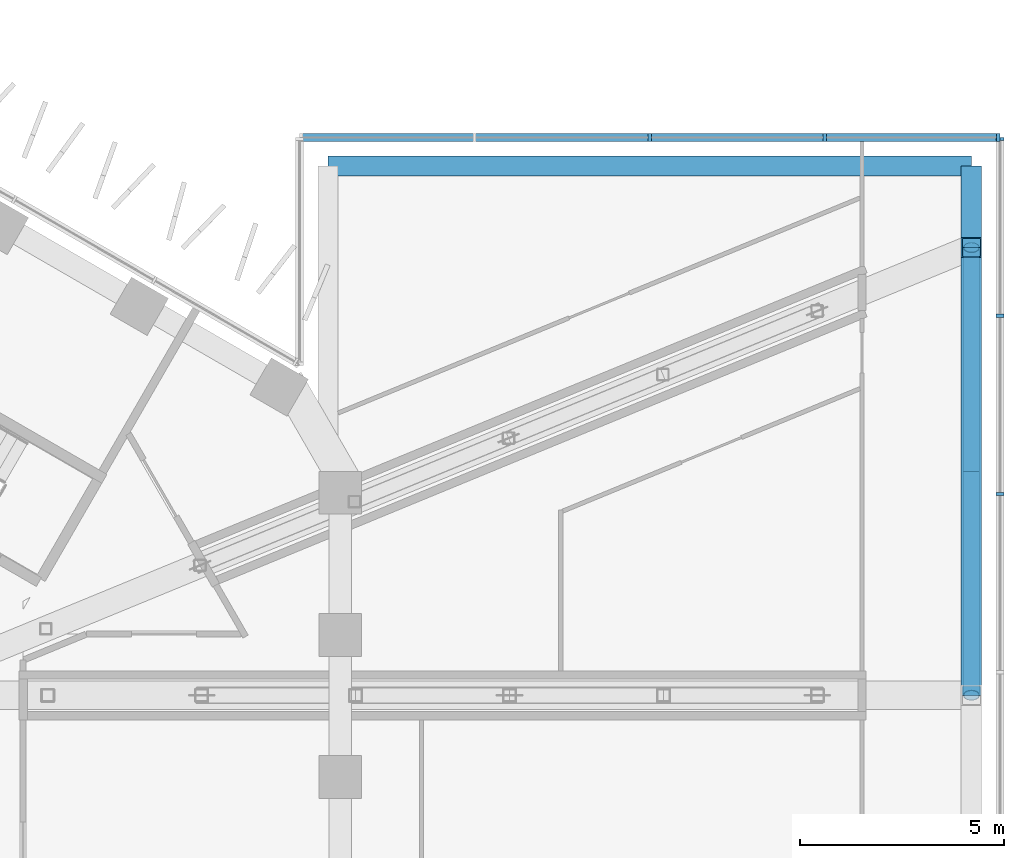
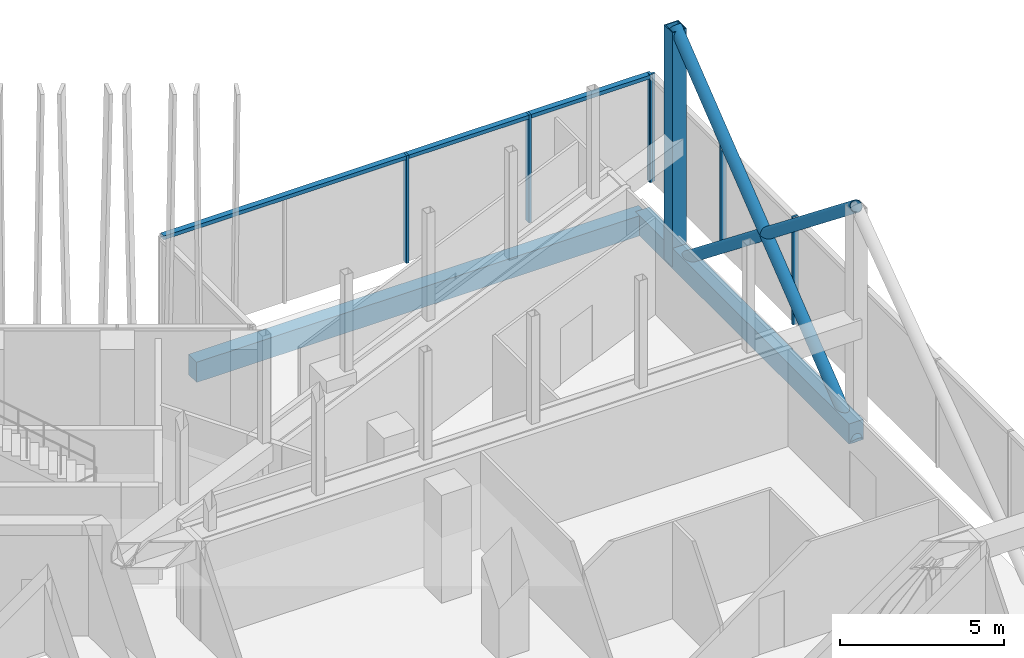
# One storey, part 10 of 28: 10 members, 3 beams, 2 elements without a shape of their own.
"""IFC4 building model written with IfcOpenShell, lengths in metres."""

from ifc_helpers import new_model, si_unit, direction, frame, origin, origin_2d, place, context, subcontext, project, spatial, rectangle, hollow_rectangle, hollow_circle, extrude, material, layer, layer_set, material_profile, profile_set, type_object, element, aggregate, save


model = new_model("IFC4")

# Units and contexts
model_context = context("Model", 3, precision=1e-05, world=origin(), true_north=direction((0.0, 1.0)))
body_context = subcontext(model_context, "Body", "Model", "MODEL_VIEW")
ifc_project = project(units=[si_unit("LENGTHUNIT", "METRE"), si_unit("AREAUNIT", "SQUARE_METRE"), si_unit("VOLUMEUNIT", "CUBIC_METRE"), si_unit("PLANEANGLEUNIT", "RADIAN"), si_unit("MASSUNIT", "GRAM", prefix="KILO")], contexts=[model_context])

# Site, building, storey
site_placement = place(None, origin())
site = spatial("IfcSite", under=ifc_project, at=site_placement, CompositionType="ELEMENT")
building_placement = place(site_placement, origin())
building = spatial("IfcBuilding", under=site, at=building_placement, Name="Ayvan Gate Tower", CompositionType="ELEMENT")
storey_placement = place(building_placement, frame((0.0, 0.0, 120.5)))
storey = spatial("IfcBuildingStorey", under=building, at=storey_placement, Name="L32", CompositionType="ELEMENT", Elevation=120.5)

# Beams
ifc_material_1 = material(Name="Concrete C40/50", Category="concrete")
ifc_material_profile_1 = material_profile(ifc_material_1, rectangle(XDim=0.5, YDim=0.75, at=origin_2d()), Name="RC 500x750")
ifc_profile_set_1 = profile_set([ifc_material_profile_1], Name="Concrete C40/50")
beam_type = type_object("IfcBeamType", Name="Sky bar edge beam RC 500x750 C40/50", PredefinedType="BEAM", material=ifc_profile_set_1)
beam_1_placement = place(storey_placement, frame((19.185546875, 16.75, -0.77490234375), z_axis=(1.0, 0.0, 0.0), x_axis=(0.0, 1.0, 0.0)))
element("IfcBeam", 1, at=beam_1_placement, inside=storey, type_object=beam_type, Name="EB-B2-L32-2", PredefinedType="BEAM", context=body_context, shape_type="SweptSolid", body=[
    extrude(rectangle(XDim=0.5, YDim=0.75, at=origin_2d()), origin(), (0.0, 0.0, 1.0), 15.800048828125),
])
beam_2_placement = place(storey_placement, frame((34.985595703125, 16.75, -0.77490234375), z_axis=(0.0, -1.0, 0.0), x_axis=(1.0, 0.0, 0.0)))
element("IfcBeam", 2, at=beam_2_placement, inside=storey, type_object=beam_type, Name="EB-B2-L32-3", PredefinedType="BEAM", context=body_context, shape_type="SweptSolid", body=[
    extrude(rectangle(XDim=0.5, YDim=0.75, at=origin_2d()), origin(), (0.0, 0.0, 1.0), 2.0),
])
beam_3_placement = place(storey_placement, frame((34.985595703125, 14.75, -0.77490234375), z_axis=(0.0, -1.0, 0.0), x_axis=(1.0, 0.0, 0.0)))
element("IfcBeam", 3, at=beam_3_placement, inside=storey, type_object=beam_type, Name="EB-B2-L32-4", PredefinedType="BEAM", context=body_context, shape_type="SweptSolid", body=[
    extrude(rectangle(XDim=0.5, YDim=0.75, at=origin_2d()), origin(), (0.0, 0.0, 1.0), 11.0),
])

# Members
ifc_material_2 = material(Name="Steel S460ML", Category="steel")
ifc_material_profile_2 = material_profile(ifc_material_2, hollow_rectangle(XDim=0.5, YDim=0.5, WallThickness=0.030029296875, at=origin_2d()), Name="BOX 500x500x30")
ifc_profile_set_2 = profile_set([ifc_material_profile_2], Name="Steel S460ML")
member_type_1 = type_object("IfcMemberType", Name="Sky bar end wall post BOX 500x500x30", PredefinedType="POST", material=ifc_profile_set_2)
member_1_placement = place(storey_placement, frame((34.985595703125, 14.75, -1.10009765625), z_axis=(0.0, 0.0, 1.0), x_axis=(1.0, 0.0, 0.0)))
element("IfcMember", 4, at=member_1_placement, inside=storey, type_object=member_type_1, Name="EXO-B2-P4", PredefinedType="POST", context=body_context, shape_type="SweptSolid", body=[
    extrude(hollow_rectangle(XDim=0.5, YDim=0.5, WallThickness=0.030029296875, at=origin_2d()), origin(), (0.0, 0.0, 1.0), 8.7001953125),
])
ifc_material_3 = material(Name="Steel S460NH", Category="steel")
ifc_material_profile_3 = material_profile(ifc_material_3, hollow_circle(Radius=0.203125, WallThickness=0.01611328125, at=origin_2d()), Name="CHS 406.4x16")
ifc_profile_set_3 = profile_set([ifc_material_profile_3], Name="Steel S460NH")
member_type_2 = type_object("IfcMemberType", Name="Sky bar exoskeleton brace CHS 406.4x16", PredefinedType="BRACE", material=ifc_profile_set_3)
for number, where, z_axis, x_axis, name in (
    (5, (34.985595703125, 3.75, -1.10009765625), (0.0, 0.784328133219, 0.620346177099), (-1.0, 0.0, 0.0), "EXO-B2-D3A"),
    (6, (34.985595703125, 14.75, -1.10009765625), (0.0, -0.784328133219, 0.620346177099), (1.0, 0.0, 0.0), "EXO-B2-D3B"),
):
    element("IfcMember", number, at=place(storey_placement, frame(where, z_axis=z_axis, x_axis=x_axis)), inside=storey, type_object=member_type_2, Name=name, PredefinedType="BRACE", context=body_context, shape_type="SweptSolid", body=[
        extrude(hollow_circle(Radius=0.203125, WallThickness=0.01611328125, at=origin_2d()), origin(), (0.0, 0.0, 1.0), 14.024658203125),
    ])

# Curtain wall, members
ifc_material_4 = material(Name="Bronze anodised aluminium", Category="aluminium")
ifc_layer = layer(ifc_material_4, 0.199951171875)
ifc_layer_set = layer_set([ifc_layer], Name="Bronze anodised aluminium")
curtain_wall_type = type_object("IfcCurtainWallType", Name="Stick curtain wall CW-4", PredefinedType="NOTDEFINED", material=ifc_layer_set)
curtain_wall_1_placement = place(storey_placement, origin())
curtain_wall_1 = element("IfcCurtainWall", 7, at=curtain_wall_1_placement, inside=storey, type_object=curtain_wall_type, Name="Stick curtain wall CW-4 L32", PredefinedType="NOTDEFINED")
ifc_material_profile_4 = material_profile(ifc_material_4, rectangle(XDim=0.199951171875, YDim=0.080078125, at=origin_2d()), Name="Stick curtain wall CW-4 mullion 200 x 80")
ifc_profile_set_4 = profile_set([ifc_material_profile_4], Name="Bronze anodised aluminium")
member_type_3 = type_object("IfcMemberType", Name="Stick curtain wall CW-4 mullion 200 x 80", PredefinedType="MULLION", material=ifc_profile_set_4)
member_2_placement = place(storey_placement, frame((35.685546875, 8.6943359375, 0.0), z_axis=(0.0, 0.0, 1.0), x_axis=(1.0, 0.0, 0.0)))
member_2 = element("IfcMember", 8, at=member_2_placement, type_object=member_type_3, Name="CW-4 mullion 8", PredefinedType="MULLION", context=body_context, shape_type="SweptSolid", body=[
    extrude(rectangle(XDim=0.199951171875, YDim=0.080078125, at=origin_2d()), origin(), (0.0, 0.0, 1.0), 4.0),
])
member_3_placement = place(storey_placement, frame((35.685546875, 13.072265625, 0.0), z_axis=(0.0, 0.0, 1.0), x_axis=(1.0, 0.0, 0.0)))
member_3 = element("IfcMember", 9, at=member_3_placement, type_object=member_type_3, Name="CW-4 mullion 9", PredefinedType="MULLION", context=body_context, shape_type="SweptSolid", body=[
    extrude(rectangle(XDim=0.199951171875, YDim=0.080078125, at=origin_2d()), origin(), (0.0, 0.0, 1.0), 4.0),
])
member_4_placement = place(storey_placement, frame((35.685546875, 17.409912109375, 0.0), z_axis=(0.0, 0.0, 1.0), x_axis=(1.0, 0.0, 0.0)))
member_4 = element("IfcMember", 10, at=member_4_placement, type_object=member_type_3, Name="CW-4 mullion 10", PredefinedType="MULLION", context=body_context, shape_type="SweptSolid", body=[
    extrude(rectangle(XDim=0.199951171875, YDim=0.080078125, at=origin_2d()), origin(), (0.0, 0.0, 1.0), 4.0),
])
aggregate(curtain_wall_1, [member_2, member_3, member_4])

curtain_wall_2_placement = place(storey_placement, origin())
curtain_wall_2 = element("IfcCurtainWall", 11, at=curtain_wall_2_placement, inside=storey, type_object=curtain_wall_type, Name="Stick curtain wall CW-4 L32", PredefinedType="NOTDEFINED")
member_5_placement = place(storey_placement, frame((35.6455078125, 17.449951171875, 0.0), z_axis=(0.0, 0.0, 1.0), x_axis=(0.0, 1.0, 0.0)))
member_5 = element("IfcMember", 12, at=member_5_placement, type_object=member_type_3, Name="CW-4 mullion 1", PredefinedType="MULLION", context=body_context, shape_type="SweptSolid", body=[
    extrude(rectangle(XDim=0.199951171875, YDim=0.080078125, at=origin_2d()), origin(), (0.0, 0.0, 1.0), 4.0),
])
member_6_placement = place(storey_placement, frame((31.385498046875, 17.449951171875, 0.0), z_axis=(0.0, 0.0, 1.0), x_axis=(0.0, 1.0, 0.0)))
member_6 = element("IfcMember", 13, at=member_6_placement, type_object=member_type_3, Name="CW-4 mullion 2", PredefinedType="MULLION", context=body_context, shape_type="SweptSolid", body=[
    extrude(rectangle(XDim=0.199951171875, YDim=0.080078125, at=origin_2d()), origin(), (0.0, 0.0, 1.0), 4.0),
])
member_7_placement = place(storey_placement, frame((27.085693359375, 17.449951171875, 0.0), z_axis=(0.0, 0.0, 1.0), x_axis=(0.0, 1.0, 0.0)))
member_7 = element("IfcMember", 14, at=member_7_placement, type_object=member_type_3, Name="CW-4 mullion 3", PredefinedType="MULLION", context=body_context, shape_type="SweptSolid", body=[
    extrude(rectangle(XDim=0.199951171875, YDim=0.080078125, at=origin_2d()), origin(), (0.0, 0.0, 1.0), 4.0),
])
ifc_material_profile_5 = material_profile(ifc_material_4, rectangle(XDim=0.199951171875, YDim=0.139892578125, at=origin_2d()), Name="Stick curtain wall CW-4 transom 200 x 140")
ifc_profile_set_5 = profile_set([ifc_material_profile_5], Name="Bronze anodised aluminium")
member_type_4 = type_object("IfcMemberType", Name="Stick curtain wall CW-4 transom 200 x 140", PredefinedType="USERDEFINED", material=ifc_profile_set_5)
member_8_placement = place(storey_placement, frame((35.6455078125, 17.449951171875, 3.929931640625), z_axis=(-1.0, 0.0, 0.0), x_axis=(0.0, -1.0, 0.0)))
member_8 = element("IfcMember", 15, at=member_8_placement, type_object=member_type_4, Name="CW-4 transom 1", ObjectType="TRANSOM", PredefinedType="USERDEFINED", context=body_context, shape_type="SweptSolid", body=[
    extrude(rectangle(XDim=0.199951171875, YDim=0.139892578125, at=origin_2d()), origin(), (0.0, 0.0, 1.0), 17.119873046875),
])
aggregate(curtain_wall_2, [member_5, member_6, member_7, member_8])

save(model, "model.ifc")
